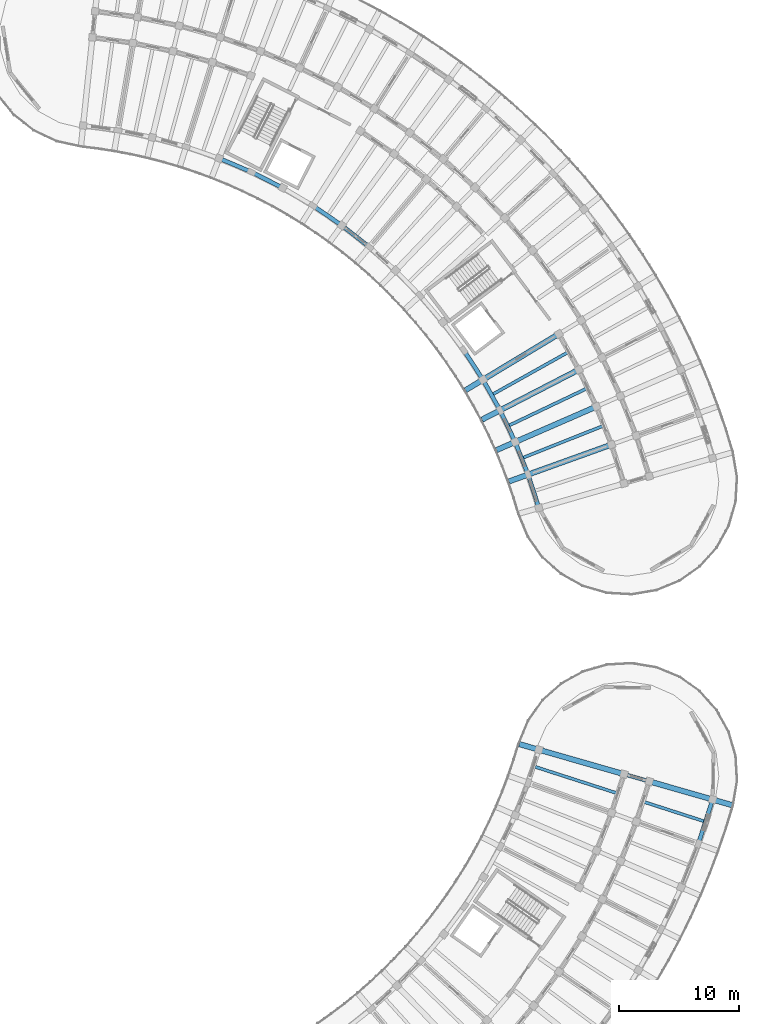
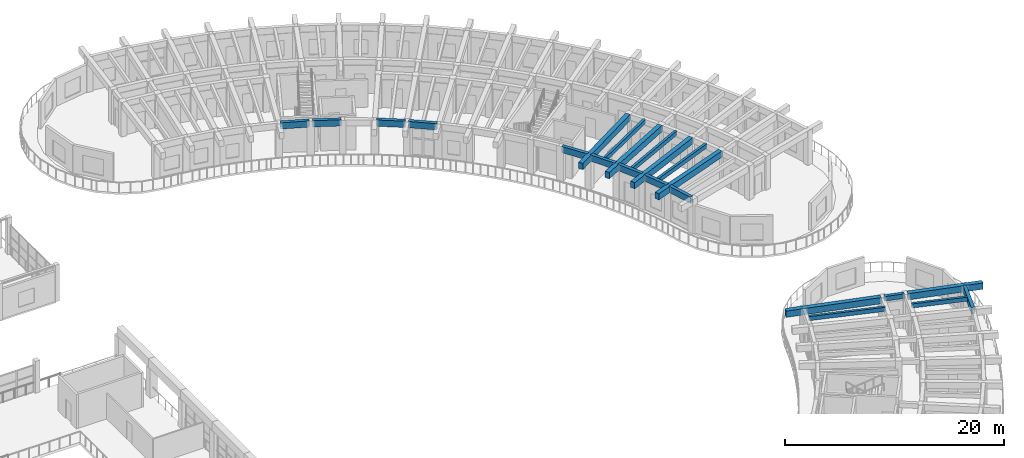
# One storey, part 60 of 128: 22 beams.
"""IFC4 building model written with IfcOpenShell, lengths in metres."""

from ifc_helpers import new_model, si_unit, direction, frame, origin, origin_2d, place, context, subcontext, project, spatial, rectangle, extrude, material, material_profile, profile_set, type_object, element, save


model = new_model("IFC4")

# Units and contexts
model_context = context("Model", 3, precision=1e-05, world=origin(), true_north=direction((0.0, 1.0)))
body_context = subcontext(model_context, "Body", "Model", "MODEL_VIEW")
ifc_project = project(units=[si_unit("LENGTHUNIT", "METRE"), si_unit("AREAUNIT", "SQUARE_METRE"), si_unit("VOLUMEUNIT", "CUBIC_METRE"), si_unit("PLANEANGLEUNIT", "RADIAN"), si_unit("MASSUNIT", "GRAM", prefix="KILO")], contexts=[model_context])

# Site, building, storey
site_placement = place(None, origin())
site = spatial("IfcSite", under=ifc_project, at=site_placement, CompositionType="ELEMENT")
building_placement = place(site_placement, origin())
building = spatial("IfcBuilding", under=site, at=building_placement, Name="Tanwirah Colonnade Gardens", CompositionType="ELEMENT")
storey_placement = place(building_placement, frame((0.0, 0.0, 4.760009765625)))
storey = spatial("IfcBuildingStorey", under=building, at=storey_placement, Name="L01", CompositionType="ELEMENT", Elevation=4.760009765625)

# Beams
ifc_material_1 = material(Name="Precast concrete C40/50", Category="concrete")
ifc_material_profile_1 = material_profile(ifc_material_1, rectangle(XDim=0.320068359375, YDim=0.52001953125, at=origin_2d()), Name="PC-BM 320x520")
ifc_profile_set_1 = profile_set([ifc_material_profile_1], Name="Precast concrete C40/50")
beam_type_1 = type_object("IfcBeamType", Name="BM-PC320", PredefinedType="BEAM", material=ifc_profile_set_1)
beam_1_placement = place(storey_placement, frame((170.985595703125, 50.166748046875, 3.56494140625), z_axis=(0.961266538157, -0.275620468433, 0.0), x_axis=(0.275620468433, 0.961266538157, 0.0)))
element("IfcBeam", 1, at=beam_1_placement, inside=storey, type_object=beam_type_1, Name="Block D L01 Corridor Tie Beam 16", PredefinedType="BEAM", context=body_context, shape_type="SweptSolid", body=[
    extrude(rectangle(XDim=0.320068359375, YDim=0.52001953125, at=origin_2d()), origin(), (0.0, 0.0, 1.0), 1.89990234375),
])
ifc_material_2 = material(Name="Precast concrete C45/55", Category="concrete")
ifc_material_profile_2 = material_profile(ifc_material_2, rectangle(XDim=0.449951171875, YDim=0.699951171875, at=origin_2d()), Name="PC-BM 450x700")
ifc_profile_set_2 = profile_set([ifc_material_profile_2], Name="Precast concrete C45/55")
beam_type_2 = type_object("IfcBeamType", Name="BM-PC450", PredefinedType="BEAM", material=ifc_profile_set_2)
beam_2_placement = place(storey_placement, frame((169.650390625, 77.69384765625, 3.47509765625), z_axis=(-0.941017049702, -0.338359146723, 0.0), x_axis=(0.338359146723, -0.941017049702, 0.0)))
element("IfcBeam", 2, at=beam_2_placement, inside=storey, type_object=beam_type_2, Name="Block B L01 Inner Radial Precast Girder 1", PredefinedType="BEAM", context=body_context, shape_type="SweptSolid", body=[
    extrude(rectangle(XDim=0.449951171875, YDim=0.699951171875, at=origin_2d()), origin(), (0.0, 0.0, 1.0), 8.949951171875),
])
beam_3_placement = place(storey_placement, frame((168.39208984375, 80.861328125, 3.47509765625), z_axis=(-0.916669317869, -0.399646545934, 0.0), x_axis=(0.399646545934, -0.916669317869, 0.0)))
element("IfcBeam", 3, at=beam_3_placement, inside=storey, type_object=beam_type_2, Name="Block B L01 Inner Radial Precast Girder 2", PredefinedType="BEAM", context=body_context, shape_type="SweptSolid", body=[
    extrude(rectangle(XDim=0.449951171875, YDim=0.699951171875, at=origin_2d()), origin(), (0.0, 0.0, 1.0), 8.9501953125),
])
beam_4_placement = place(storey_placement, frame((166.927734375, 83.93896484375, 3.47509765625), z_axis=(-0.888345427876, -0.459175784175, 0.0), x_axis=(0.459175784175, -0.888345427876, 0.0)))
element("IfcBeam", 4, at=beam_4_placement, inside=storey, type_object=beam_type_2, Name="Block B L01 Inner Radial Precast Girder 3", PredefinedType="BEAM", context=body_context, shape_type="SweptSolid", body=[
    extrude(rectangle(XDim=0.449951171875, YDim=0.699951171875, at=origin_2d()), origin(), (0.0, 0.0, 1.0), 8.949951171875),
])
beam_5_placement = place(storey_placement, frame((165.263916015625, 86.913330078125, 3.47509765625), z_axis=(-0.856168728297, -0.516696340887, 0.0), x_axis=(0.516696340887, -0.856168728297, 0.0)))
element("IfcBeam", 5, at=beam_5_placement, inside=storey, type_object=beam_type_2, Name="Block B L01 Inner Radial Precast Girder 4", PredefinedType="BEAM", context=body_context, shape_type="SweptSolid", body=[
    extrude(rectangle(XDim=0.449951171875, YDim=0.699951171875, at=origin_2d()), origin(), (0.0, 0.0, 1.0), 8.9501953125),
])
beam_6_placement = place(storey_placement, frame((170.697265625, 50.24951171875, 3.47509765625), z_axis=(-0.961258954076, 0.275646917646, 0.0), x_axis=(-0.275646917646, -0.961258954076, 0.0)))
element("IfcBeam", 6, at=beam_6_placement, inside=storey, type_object=beam_type_2, Name="Block D L01 Inner Radial Precast Girder 16", PredefinedType="BEAM", context=body_context, shape_type="SweptSolid", body=[
    extrude(rectangle(XDim=0.449951171875, YDim=0.699951171875, at=origin_2d()), origin(), (0.0, 0.0, 1.0), 8.949951171875),
])
beam_7_placement = place(storey_placement, frame((173.100341796875, 49.560546875, 3.47509765625), z_axis=(0.961256910003, -0.275654045811, 0.0), x_axis=(0.275654045811, 0.961256910003, 0.0)))
element("IfcBeam", 7, at=beam_7_placement, inside=storey, type_object=beam_type_2, Name="Block D L01 Outer Radial Precast Girder 16", PredefinedType="BEAM", context=body_context, shape_type="SweptSolid", body=[
    extrude(rectangle(XDim=0.449951171875, YDim=0.699951171875, at=origin_2d()), origin(), (0.0, 0.0, 1.0), 7.050048828125),
])
ifc_material_profile_3 = material_profile(ifc_material_1, rectangle(XDim=0.2548828125, YDim=0.455078125, at=origin_2d()), Name="PC-JST 255x455")
ifc_profile_set_3 = profile_set([ifc_material_profile_3], Name="Precast concrete C40/50")
beam_type_3 = type_object("IfcBeamType", Name="JST-PC240", PredefinedType="JOIST", material=ifc_profile_set_3)
beam_8_placement = place(storey_placement, frame((172.55517578125, 47.873046875, 3.597412109375), z_axis=(0.95172917624, -0.30693904133, 0.0), x_axis=(0.30693904133, 0.95172917624, 0.0)))
element("IfcBeam", 8, at=beam_8_placement, inside=storey, type_object=beam_type_3, Name="Block D L01 Precast Floor Joist 15", PredefinedType="JOIST", context=body_context, shape_type="SweptSolid", body=[
    extrude(rectangle(XDim=0.2548828125, YDim=0.455078125, at=origin_2d()), origin(), (0.0, 0.0, 1.0), 5.260009765625),
])
beam_9_placement = place(storey_placement, frame((163.41845703125, 50.819580078125, 3.597412109375), z_axis=(0.951727255502, -0.30694499692, 0.0), x_axis=(0.30694499692, 0.951727255502, 0.0)))
element("IfcBeam", 9, at=beam_9_placement, inside=storey, type_object=beam_type_3, Name="Block D L01 Inner Precast Floor Joist 15", PredefinedType="JOIST", context=body_context, shape_type="SweptSolid", body=[
    extrude(rectangle(XDim=0.2548828125, YDim=0.455078125, at=origin_2d()), origin(), (0.0, 0.0, 1.0), 7.16015625),
])
ifc_material_profile_4 = material_profile(ifc_material_1, rectangle(XDim=0.260009765625, YDim=0.4599609375, at=origin_2d()), Name="PC-JST 260x460")
ifc_profile_set_4 = profile_set([ifc_material_profile_4], Name="Precast concrete C40/50")
beam_type_4 = type_object("IfcBeamType", Name="JST-PC260", PredefinedType="JOIST", material=ifc_profile_set_4)
for number, where, z_axis, x_axis, name in (
    (10, (162.4208984375, 76.655517578125, 3.594970703125), (0.929348880779, 0.369202732649, 0.0), (-0.369202732649, 0.929348880779, 0.0), "Block B L01 Inner Precast Floor Joist 1"),
    (11, (161.246826171875, 79.348876953125, 3.594970703125), (0.903005429363, 0.429629136048, 0.0), (-0.429629136048, 0.903005429363, 0.0), "Block B L01 Inner Precast Floor Joist 2"),
    (12, (159.897705078125, 81.958984375, 3.594970703125), (0.872726875563, 0.488208767506, 0.0), (-0.488208767506, 0.872726875563, 0.0), "Block B L01 Inner Precast Floor Joist 3"),
):
    element("IfcBeam", number, at=place(storey_placement, frame(where, z_axis=z_axis, x_axis=x_axis)), inside=storey, type_object=beam_type_4, Name=name, PredefinedType="JOIST", context=body_context, shape_type="SweptSolid", body=[
        extrude(rectangle(XDim=0.260009765625, YDim=0.4599609375, at=origin_2d()), origin(), (0.0, 0.0, 1.0), 7.16015625),
    ])
ifc_material_profile_5 = material_profile(ifc_material_2, rectangle(XDim=0.340087890625, YDim=0.699951171875, at=origin_2d()), Name="PC-SP 340x700")
ifc_profile_set_5 = profile_set([ifc_material_profile_5], Name="Precast concrete C45/55")
beam_type_5 = type_object("IfcBeamType", Name="SP-PC340", PredefinedType="SPANDREL", material=ifc_profile_set_5)
beam_10_placement = place(storey_placement, frame((163.681884765625, 72.5947265625, 3.47509765625), z_axis=(-0.307135661902, 0.951665742363, 0.0), x_axis=(-0.951665742363, -0.307135661902, 0.0)))
element("IfcBeam", 13, at=beam_10_placement, inside=storey, type_object=beam_type_5, Name="Block B L01 Circumferential Beam 0-R0", PredefinedType="SPANDREL", context=body_context, shape_type="SweptSolid", body=[
    extrude(rectangle(XDim=0.340087890625, YDim=0.699951171875, at=origin_2d()), origin(), (0.0, 0.0, 1.0), 2.63037109375),
])
beam_11_placement = place(storey_placement, frame((162.772705078125, 75.380126953125, 3.47509765625), z_axis=(-0.369245181709, 0.929332015904, 0.0), x_axis=(-0.929332015904, -0.369245181709, 0.0)))
element("IfcBeam", 14, at=beam_11_placement, inside=storey, type_object=beam_type_5, Name="Block B L01 Circumferential Beam 1-R0", PredefinedType="SPANDREL", context=body_context, shape_type="SweptSolid", body=[
    extrude(rectangle(XDim=0.340087890625, YDim=0.699951171875, at=origin_2d()), origin(), (0.0, 0.0, 1.0), 2.630126953125),
])
beam_12_placement = place(storey_placement, frame((161.681640625, 78.099365234375, 3.47509765625), z_axis=(-0.42964173036, 0.902999437172, 0.0), x_axis=(-0.902999437172, -0.42964173036, 0.0)))
element("IfcBeam", 15, at=beam_12_placement, inside=storey, type_object=beam_type_5, Name="Block B L01 Circumferential Beam 2-R0", PredefinedType="SPANDREL", context=body_context, shape_type="SweptSolid", body=[
    extrude(rectangle(XDim=0.340087890625, YDim=0.699951171875, at=origin_2d()), origin(), (0.0, 0.0, 1.0), 2.63037109375),
])
beam_13_placement = place(storey_placement, frame((160.413818359375, 80.740966796875, 3.47509765625), z_axis=(-0.488170837957, 0.872748092503, 0.0), x_axis=(-0.872748092503, -0.488170837957, 0.0)))
element("IfcBeam", 16, at=beam_13_placement, inside=storey, type_object=beam_type_5, Name="Block B L01 Circumferential Beam 3-R0", PredefinedType="SPANDREL", context=body_context, shape_type="SweptSolid", body=[
    extrude(rectangle(XDim=0.340087890625, YDim=0.699951171875, at=origin_2d()), origin(), (0.0, 0.0, 1.0), 2.630126953125),
])
for number, where, z_axis, x_axis, name in (
    (17, (158.974853515625, 83.29296875, 3.47509765625), (-0.544570677829, 0.838714955661, 0.0), (-0.838714955661, -0.544570677829, 0.0), "Block B L01 Circumferential Beam 4-R0"),
    (18, (149.453857421875, 94.34326171875, 3.47509765625), (-0.786836625031, 0.617161344795, 0.0), (-0.617161344795, -0.786836625031, 0.0), "Block B L01 Circumferential Beam 9-R0"),
    (19, (147.142578125, 96.143798828125, 3.47509765625), (-0.825800981874, 0.563961646158, 0.0), (-0.563961646158, -0.825800981874, 0.0), "Block B L01 Circumferential Beam 10-R0"),
    (20, (142.189453125, 99.26904296875, 3.47509765625), (-0.892769015158, 0.450514689632, 0.0), (-0.450514689632, -0.892769015158, 0.0), "Block B L01 Circumferential Beam 12-R0"),
    (21, (139.569091796875, 100.580322265625, 3.47509765625), (-0.920488719784, 0.390769134848, 0.0), (-0.390769134848, -0.920488719784, 0.0), "Block B L01 Circumferential Beam 13-R0"),
):
    element("IfcBeam", number, at=place(storey_placement, frame(where, z_axis=z_axis, x_axis=x_axis)), inside=storey, type_object=beam_type_5, Name=name, PredefinedType="SPANDREL", context=body_context, shape_type="SweptSolid", body=[
        extrude(rectangle(XDim=0.340087890625, YDim=0.699951171875, at=origin_2d()), origin(), (0.0, 0.0, 1.0), 2.63037109375),
    ])
beam_14_placement = place(storey_placement, frame((177.093017578125, 44.519775390625, 3.47509765625), z_axis=(0.306927419976, 0.951732924127, 0.0), x_axis=(-0.951732924127, 0.306927419976, 0.0)))
element("IfcBeam", 22, at=beam_14_placement, inside=storey, type_object=beam_type_5, Name="Block D L01 Circumferential Beam 15-R3", PredefinedType="SPANDREL", context=body_context, shape_type="SweptSolid", body=[
    extrude(rectangle(XDim=0.340087890625, YDim=0.699951171875, at=origin_2d()), origin(), (0.0, 0.0, 1.0), 3.596923828125),
])

save(model, "model.ifc")
